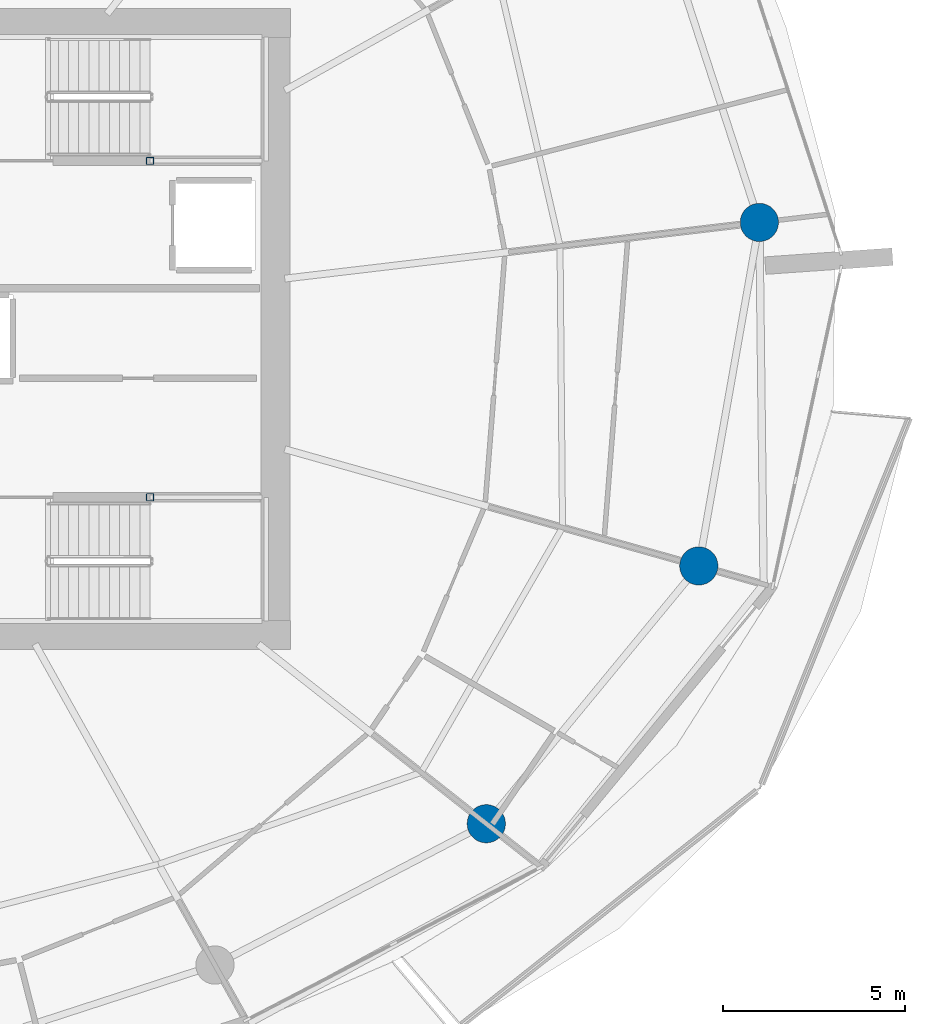
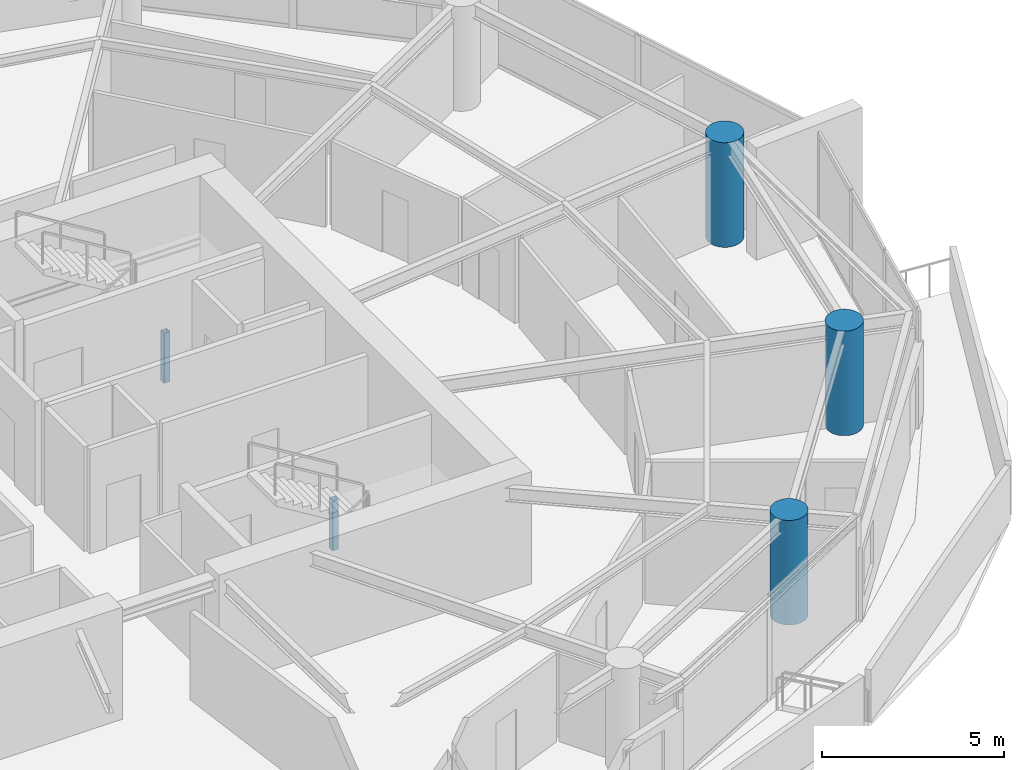
# One storey, part 3 of 20: 5 columns.
"""IFC4 building model written with IfcOpenShell, lengths in metres."""

import ifcopenshell
import ifcopenshell.guid

model = None  # the IFC model being written
_history = None  # IfcOwnerHistory: only IFC2X3 demands one
_inside = {}  # id of a spatial element -> (the spatial element, [elements in it])
_under = {}  # id of a project, library or spatial element -> (it, [spatial elements below it])
_declared = {}  # id of a project -> (the project, [libraries it declares])
_typed = {}  # id of a type object -> (the type object, [elements of that type])
_made_of = {}  # id of a material, layer set ... -> (it, [elements and type objects made of it])


def new_model(schema):
    """Start an empty IFC model of exactly this schema.

    Asked for "IFC4X3", IfcOpenShell would pick the latest addendum, in which some entities
    have other attributes; the version numbers below select the first issue.
    IFC2X3 requires an IfcOwnerHistory on every rooted entity: one is made here for all.
    """
    global model, _history
    if schema == "IFC4X3":
        model = ifcopenshell.file(schema_version=(4, 3, 0, 0))
    else:
        model = ifcopenshell.file(schema=schema)
    _inside.clear()
    _under.clear()
    _declared.clear()
    _typed.clear()
    _made_of.clear()
    _history = None
    if model.schema == "IFC2X3":
        org = make("IfcOrganization", Name="unknown")
        user = make(
            "IfcPersonAndOrganization",
            ThePerson=make("IfcPerson", FamilyName="unknown"),
            TheOrganization=org,
        )
        app = make(
            "IfcApplication",
            ApplicationDeveloper=org,
            Version="unknown",
            ApplicationFullName="unknown",
            ApplicationIdentifier="unknown",
        )
        _history = make(
            "IfcOwnerHistory",
            OwningUser=user,
            OwningApplication=app,
            ChangeAction="ADDED",
            CreationDate=0,
        )
    return model


def make(cls, **values):
    """One entity of the class cls with the attributes given. An attribute that is None is left unset."""
    return model.create_entity(
        cls, **{name: value for name, value in values.items() if value is not None}
    )


def rooted(cls, **values):
    """An entity with a GlobalId (a new one), such as an element, a storey or a relation."""
    return make(cls, GlobalId=ifcopenshell.guid.new(), OwnerHistory=_history, **values)


def si_unit(unit_type, name, prefix=None):
    """IfcSIUnit, for example si_unit("LENGTHUNIT", "METRE", prefix="MILLI")."""
    return make("IfcSIUnit", UnitType=unit_type, Prefix=prefix, Name=name)


def assignment(units):
    """IfcUnitAssignment: the units of a project."""
    return None if units is None else make("IfcUnitAssignment", Units=units)


def point(xyz):
    """IfcCartesianPoint."""
    return None if xyz is None else make("IfcCartesianPoint", Coordinates=xyz)


def direction(xyz):
    """IfcDirection."""
    return None if xyz is None else make("IfcDirection", DirectionRatios=xyz)


def frame(location, z_axis=None, x_axis=None):
    """IfcAxis2Placement3D, a coordinate frame: its origin and axes. An axis left out is left unset."""
    return make(
        "IfcAxis2Placement3D",
        Location=point(location),
        Axis=direction(z_axis),
        RefDirection=direction(x_axis),
    )


def frame_2d(location, x_axis=None):
    """IfcAxis2Placement2D, a coordinate frame in the plane: its origin and x axis."""
    return make(
        "IfcAxis2Placement2D", Location=point(location), RefDirection=direction(x_axis)
    )


def origin():
    """The frame at (0, 0, 0) with its axes left unset."""
    return frame((0.0, 0.0, 0.0))


def origin_2d():
    """The frame at (0, 0) in the plane with its x axis left unset."""
    return frame_2d((0.0, 0.0))


def place(relative_to, where):
    """IfcLocalPlacement: puts the frame where relative to a parent placement (None: the world)."""
    return make(
        "IfcLocalPlacement", PlacementRelTo=relative_to, RelativePlacement=where
    )


def context(
    kind, dimensions, precision=None, world=None, true_north=None, identifier=None
):
    """IfcGeometricRepresentationContext, for example the 3D "Model" context."""
    return make(
        "IfcGeometricRepresentationContext",
        ContextIdentifier=identifier,
        ContextType=kind,
        CoordinateSpaceDimension=dimensions,
        Precision=precision,
        WorldCoordinateSystem=world,
        TrueNorth=true_north,
    )


def subcontext(parent, identifier, kind, view, scale=None):
    """IfcGeometricRepresentationSubContext, for example "Body" below "Model"."""
    return make(
        "IfcGeometricRepresentationSubContext",
        ContextIdentifier=identifier,
        ContextType=kind,
        ParentContext=parent,
        TargetScale=scale,
        TargetView=view,
    )


def project(units=None, contexts=None):
    """IfcProject with its units and contexts."""
    return rooted(
        "IfcProject",
        Name="project",
        RepresentationContexts=contexts,
        UnitsInContext=assignment(units),
    )


def spatial(cls, under=None, at=None, **own):
    """A site, building, storey or space (cls), placed at a placement, below another one or the project."""
    s = rooted(cls, ObjectPlacement=at, **own)
    if under is not None:
        _under.setdefault(under.id(), (under, []))[1].append(s)
    return s


def profile(cls, at=None, kind="AREA", **sizes):
    """A parametric profile (cls). Its sizes go by their IFC names, for example OverallWidth=200.0."""
    return make(cls, ProfileType=kind, Position=at, **sizes)


def hollow_rectangle(**sizes):
    """IfcRectangleHollowProfileDef."""
    return profile("IfcRectangleHollowProfileDef", **sizes)


def circle(**sizes):
    """IfcCircleProfileDef."""
    return profile("IfcCircleProfileDef", **sizes)


def extrude(swept, where, along, depth):
    """IfcExtrudedAreaSolid: the profile swept, set in the frame where, extruded along a direction by depth."""
    return make(
        "IfcExtrudedAreaSolid",
        SweptArea=swept,
        Position=where,
        ExtrudedDirection=direction(along),
        Depth=depth,
    )


def shape(context_of_items, identifier, shape_type, items):
    """IfcShapeRepresentation: the items that make up one representation, for example the "Body"."""
    return make(
        "IfcShapeRepresentation",
        ContextOfItems=context_of_items,
        RepresentationIdentifier=identifier,
        RepresentationType=shape_type,
        Items=items,
    )


def material(Name=None, Category=None):
    """IfcMaterial."""
    return make("IfcMaterial", Name=Name, Category=Category)


def material_profile(
    of_material, cross_section, Name=None, Category=None, Priority=None
):
    """IfcMaterialProfile: a cross section and its material."""
    return make(
        "IfcMaterialProfile",
        Name=Name,
        Material=of_material,
        Profile=cross_section,
        Priority=Priority,
        Category=Category,
    )


def profile_set(profiles, Name=None, composite=None):
    """IfcMaterialProfileSet."""
    return make(
        "IfcMaterialProfileSet",
        Name=Name,
        MaterialProfiles=profiles,
        CompositeProfile=composite,
    )


def made_of(thing, what):
    """Note that an element or type object is made of a material, layer set ...; save() writes the relation."""
    if what is not None:
        _made_of.setdefault(what.id(), (what, []))[1].append(thing)
    return thing


def type_object(cls, material=None, **own):
    """A type object (cls), such as IfcWallType, which elements share."""
    return made_of(rooted(cls, **own), material)


def element(
    cls,
    number,
    at=None,
    inside=None,
    cuts=None,
    type_object=None,
    material=None,
    context=None,
    identifier="Body",
    shape_type=None,
    held_by="IfcProductDefinitionShape",
    body=None,
    shapes=None,
    **own,
):
    """One element of the class cls, such as IfcWall. Its Tag is "e" and its number.

    at: its placement. inside: the storey or other place that contains it. cuts: it is an
    opening in that element (IfcRelVoidsElement). A single representation is given by context,
    identifier, shape_type and body (its items); several are given by shapes. held_by: the class
    of the entity that holds the representations. save() writes the other relations.
    """
    e = rooted(cls, Tag="e%d" % number, ObjectPlacement=at, **own)
    if body is not None:
        shapes = [shape(context, identifier, shape_type, body)]
    if shapes is not None:
        e.Representation = make(held_by, Representations=shapes)
    if inside is not None:
        _inside.setdefault(inside.id(), (inside, []))[1].append(e)
    if cuts is not None:
        rooted(
            "IfcRelVoidsElement", RelatingBuildingElement=cuts, RelatedOpeningElement=e
        )
    if type_object is not None:
        _typed.setdefault(type_object.id(), (type_object, []))[1].append(e)
    return made_of(e, material)


def aggregate(whole, parts):
    """IfcRelAggregates: a whole, such as a stair, and the parts it consists of."""
    return rooted("IfcRelAggregates", RelatingObject=whole, RelatedObjects=parts)


def save(model, path):
    """Write the relations noted so far, then the file.

    IfcRelAggregates (storeys below a building ...), IfcRelContainedInSpatialStructure (elements
    in a storey), IfcRelDefinesByType, IfcRelAssociatesMaterial and IfcRelDeclares: one each for
    every whole, place, type object, material and project.
    """
    for whole, parts in _under.values():
        aggregate(whole, parts)
    for where, things in _inside.values():
        rooted(
            "IfcRelContainedInSpatialStructure",
            RelatedElements=things,
            RelatingStructure=where,
        )
    for kind, things in _typed.values():
        rooted("IfcRelDefinesByType", RelatedObjects=things, RelatingType=kind)
    for what, things in _made_of.values():
        rooted("IfcRelAssociatesMaterial", RelatedObjects=things, RelatingMaterial=what)
    for by, libraries in _declared.values():
        rooted("IfcRelDeclares", RelatingContext=by, RelatedDefinitions=libraries)
    model.write(path)


model = new_model("IFC4")

# Units and contexts
model_context = context("Model", 3, precision=1e-05, world=origin(), true_north=direction((0.0, 1.0)))
body_context = subcontext(model_context, "Body", "Model", "MODEL_VIEW")
ifc_project = project(units=[si_unit("LENGTHUNIT", "METRE"), si_unit("AREAUNIT", "SQUARE_METRE"), si_unit("VOLUMEUNIT", "CUBIC_METRE"), si_unit("PLANEANGLEUNIT", "RADIAN"), si_unit("MASSUNIT", "GRAM", prefix="KILO")], contexts=[model_context])

# Site, building, storey
site_placement = place(None, origin())
site = spatial("IfcSite", under=ifc_project, at=site_placement, CompositionType="ELEMENT")
building_placement = place(site_placement, origin())
building = spatial("IfcBuilding", under=site, at=building_placement, Name="Kazma Halo Residences", CompositionType="ELEMENT")
storey_placement = place(building_placement, frame((0.0, 0.0, 157.800048828125)))
storey = spatial("IfcBuildingStorey", under=building, at=storey_placement, Name="L39", CompositionType="ELEMENT", Elevation=157.800048828125)

# Columns
ifc_material_1 = material(Name="Steel S355", Category="steel")
ifc_material_profile_1 = material_profile(ifc_material_1, hollow_rectangle(XDim=0.199951171875, YDim=0.199951171875, WallThickness=0.010009765625, InnerFilletRadius=0.010009765625, OuterFilletRadius=0.02001953125, at=origin_2d()), Name="SHS200x200x10")
ifc_profile_set_1 = profile_set([ifc_material_profile_1], Name="Steel S355")
column_type_1 = type_object("IfcColumnType", Name="COL-LP-SHS200", PredefinedType="COLUMN", material=ifc_profile_set_1)
for number, where, z_axis, x_axis, name in (
    (1, (56.0, 46.6201171875, 0.0), (0.0, 0.0, 1.0), (1.0, 0.0, 0.0), "L39 ST-02 landing pilaster 1"),
    (2, (56.0, 37.3798828125, 0.0), (0.0, 0.0, 1.0), (1.0, 0.0, 0.0), "L39 ST-03 landing pilaster 1"),
):
    element("IfcColumn", number, at=place(storey_placement, frame(where, z_axis=z_axis, x_axis=x_axis)), inside=storey, type_object=column_type_1, Name=name, PredefinedType="COLUMN", context=body_context, shape_type="SweptSolid", body=[
        extrude(hollow_rectangle(XDim=0.199951171875, YDim=0.199951171875, WallThickness=0.010009765625, InnerFilletRadius=0.010009765625, OuterFilletRadius=0.02001953125, at=origin_2d()), origin(), (0.0, 0.0, 1.0), 1.669921875),
    ])
ifc_material_2 = material(Name="Concrete C80/95", Category="concrete")
ifc_material_profile_2 = material_profile(ifc_material_2, circle(Radius=0.52490234375, at=origin_2d()), Name="CIRC1050")
ifc_profile_set_2 = profile_set([ifc_material_profile_2], Name="Concrete C80/95")
column_type_2 = type_object("IfcColumnType", Name="COL-PERIM-1050", PredefinedType="COLUMN", material=ifc_profile_set_2)
for number, where, z_axis, x_axis, name in (
    (3, (65.234375, 28.41357421875, 0.0), (0.0, 0.0, 1.0), (1.0, 0.0, 0.0), "L39 perimeter ring column P14"),
    (4, (71.06982421875, 35.49365234375, 0.0), (0.0, 0.0, 1.0), (1.0, 0.0, 0.0), "L39 perimeter ring column P15"),
    (5, (72.733154296875, 44.927490234375, 0.0), (0.0, 0.0, 1.0), (1.0, 0.0, 0.0), "L39 perimeter ring column P16"),
):
    element("IfcColumn", number, at=place(storey_placement, frame(where, z_axis=z_axis, x_axis=x_axis)), inside=storey, type_object=column_type_2, Name=name, PredefinedType="COLUMN", context=body_context, shape_type="SweptSolid", body=[
        extrude(circle(Radius=0.52490234375, at=origin_2d()), origin(), (0.0, 0.0, 1.0), 3.5),
    ])

save(model, "model.ifc")
